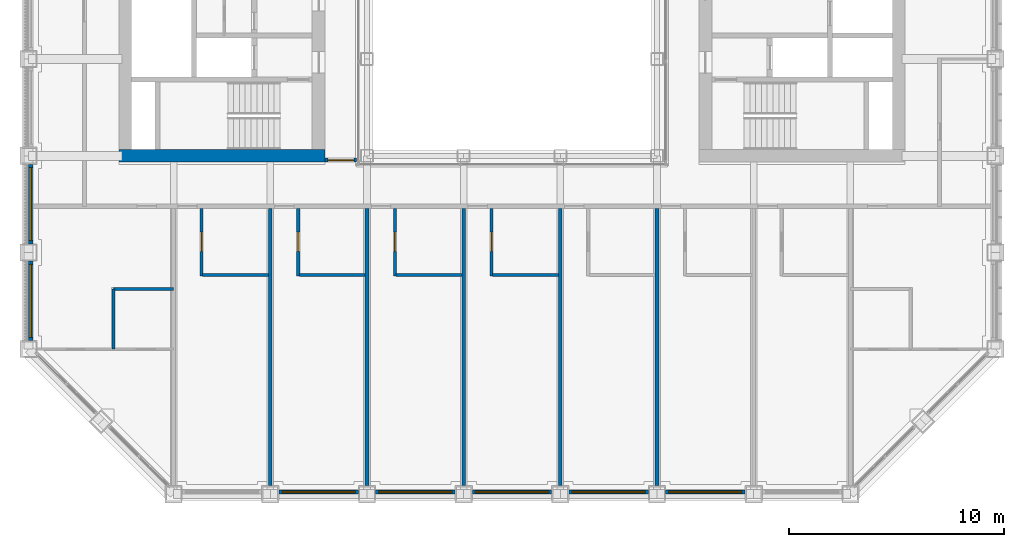
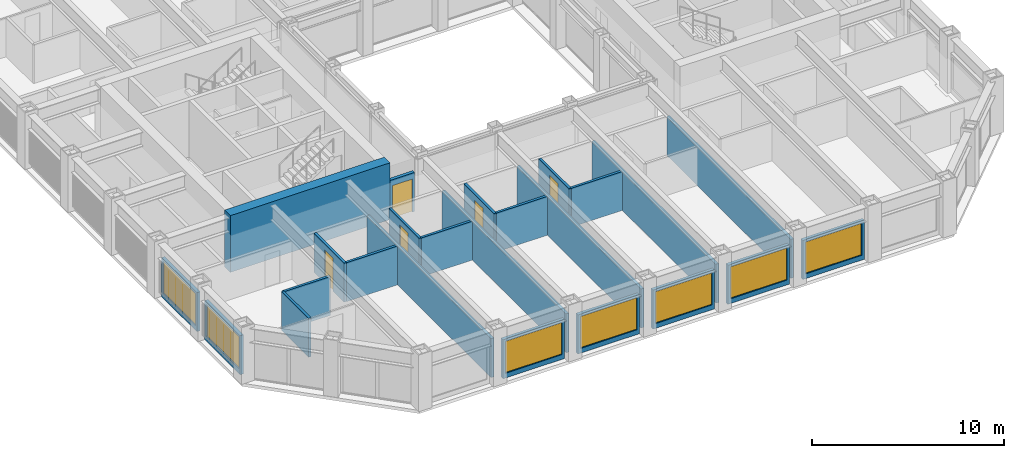
# One storey, part 10 of 18: 24 walls, 7 windows, 5 doors, 12 openings.
"""IFC4 building model written with IfcOpenShell, lengths in metres."""

import ifcopenshell
import ifcopenshell.guid

model = None  # the IFC model being written
_history = None  # IfcOwnerHistory: only IFC2X3 demands one
_inside = {}  # id of a spatial element -> (the spatial element, [elements in it])
_under = {}  # id of a project, library or spatial element -> (it, [spatial elements below it])
_declared = {}  # id of a project -> (the project, [libraries it declares])
_typed = {}  # id of a type object -> (the type object, [elements of that type])
_made_of = {}  # id of a material, layer set ... -> (it, [elements and type objects made of it])


def new_model(schema):
    """Start an empty IFC model of exactly this schema.

    Asked for "IFC4X3", IfcOpenShell would pick the latest addendum, in which some entities
    have other attributes; the version numbers below select the first issue.
    IFC2X3 requires an IfcOwnerHistory on every rooted entity: one is made here for all.
    """
    global model, _history
    if schema == "IFC4X3":
        model = ifcopenshell.file(schema_version=(4, 3, 0, 0))
    else:
        model = ifcopenshell.file(schema=schema)
    _inside.clear()
    _under.clear()
    _declared.clear()
    _typed.clear()
    _made_of.clear()
    _history = None
    if model.schema == "IFC2X3":
        org = make("IfcOrganization", Name="unknown")
        user = make(
            "IfcPersonAndOrganization",
            ThePerson=make("IfcPerson", FamilyName="unknown"),
            TheOrganization=org,
        )
        app = make(
            "IfcApplication",
            ApplicationDeveloper=org,
            Version="unknown",
            ApplicationFullName="unknown",
            ApplicationIdentifier="unknown",
        )
        _history = make(
            "IfcOwnerHistory",
            OwningUser=user,
            OwningApplication=app,
            ChangeAction="ADDED",
            CreationDate=0,
        )
    return model


def make(cls, **values):
    """One entity of the class cls with the attributes given. An attribute that is None is left unset."""
    return model.create_entity(
        cls, **{name: value for name, value in values.items() if value is not None}
    )


def rooted(cls, **values):
    """An entity with a GlobalId (a new one), such as an element, a storey or a relation."""
    return make(cls, GlobalId=ifcopenshell.guid.new(), OwnerHistory=_history, **values)


def si_unit(unit_type, name, prefix=None):
    """IfcSIUnit, for example si_unit("LENGTHUNIT", "METRE", prefix="MILLI")."""
    return make("IfcSIUnit", UnitType=unit_type, Prefix=prefix, Name=name)


def assignment(units):
    """IfcUnitAssignment: the units of a project."""
    return None if units is None else make("IfcUnitAssignment", Units=units)


def point(xyz):
    """IfcCartesianPoint."""
    return None if xyz is None else make("IfcCartesianPoint", Coordinates=xyz)


def direction(xyz):
    """IfcDirection."""
    return None if xyz is None else make("IfcDirection", DirectionRatios=xyz)


def frame(location, z_axis=None, x_axis=None):
    """IfcAxis2Placement3D, a coordinate frame: its origin and axes. An axis left out is left unset."""
    return make(
        "IfcAxis2Placement3D",
        Location=point(location),
        Axis=direction(z_axis),
        RefDirection=direction(x_axis),
    )


def frame_2d(location, x_axis=None):
    """IfcAxis2Placement2D, a coordinate frame in the plane: its origin and x axis."""
    return make(
        "IfcAxis2Placement2D", Location=point(location), RefDirection=direction(x_axis)
    )


def origin():
    """The frame at (0, 0, 0) with its axes left unset."""
    return frame((0.0, 0.0, 0.0))


def place(relative_to, where):
    """IfcLocalPlacement: puts the frame where relative to a parent placement (None: the world)."""
    return make(
        "IfcLocalPlacement", PlacementRelTo=relative_to, RelativePlacement=where
    )


def context(
    kind, dimensions, precision=None, world=None, true_north=None, identifier=None
):
    """IfcGeometricRepresentationContext, for example the 3D "Model" context."""
    return make(
        "IfcGeometricRepresentationContext",
        ContextIdentifier=identifier,
        ContextType=kind,
        CoordinateSpaceDimension=dimensions,
        Precision=precision,
        WorldCoordinateSystem=world,
        TrueNorth=true_north,
    )


def subcontext(parent, identifier, kind, view, scale=None):
    """IfcGeometricRepresentationSubContext, for example "Body" below "Model"."""
    return make(
        "IfcGeometricRepresentationSubContext",
        ContextIdentifier=identifier,
        ContextType=kind,
        ParentContext=parent,
        TargetScale=scale,
        TargetView=view,
    )


def project(units=None, contexts=None):
    """IfcProject with its units and contexts."""
    return rooted(
        "IfcProject",
        Name="project",
        RepresentationContexts=contexts,
        UnitsInContext=assignment(units),
    )


def spatial(cls, under=None, at=None, **own):
    """A site, building, storey or space (cls), placed at a placement, below another one or the project."""
    s = rooted(cls, ObjectPlacement=at, **own)
    if under is not None:
        _under.setdefault(under.id(), (under, []))[1].append(s)
    return s


def profile(cls, at=None, kind="AREA", **sizes):
    """A parametric profile (cls). Its sizes go by their IFC names, for example OverallWidth=200.0."""
    return make(cls, ProfileType=kind, Position=at, **sizes)


def rectangle(**sizes):
    """IfcRectangleProfileDef."""
    return profile("IfcRectangleProfileDef", **sizes)


def extrude(swept, where, along, depth):
    """IfcExtrudedAreaSolid: the profile swept, set in the frame where, extruded along a direction by depth."""
    return make(
        "IfcExtrudedAreaSolid",
        SweptArea=swept,
        Position=where,
        ExtrudedDirection=direction(along),
        Depth=depth,
    )


def shape(context_of_items, identifier, shape_type, items):
    """IfcShapeRepresentation: the items that make up one representation, for example the "Body"."""
    return make(
        "IfcShapeRepresentation",
        ContextOfItems=context_of_items,
        RepresentationIdentifier=identifier,
        RepresentationType=shape_type,
        Items=items,
    )


def material(Name=None, Category=None):
    """IfcMaterial."""
    return make("IfcMaterial", Name=Name, Category=Category)


def layer(
    of_material, thickness, ventilated=None, Name=None, Category=None, Priority=None
):
    """IfcMaterialLayer: one layer of a wall or slab, of a material (None: an air gap)."""
    return make(
        "IfcMaterialLayer",
        Material=of_material,
        LayerThickness=thickness,
        IsVentilated=ventilated,
        Name=Name,
        Category=Category,
        Priority=Priority,
    )


def layer_set(layers, Name=None):
    """IfcMaterialLayerSet."""
    return make("IfcMaterialLayerSet", MaterialLayers=layers, LayerSetName=Name)


def made_of(thing, what):
    """Note that an element or type object is made of a material, layer set ...; save() writes the relation."""
    if what is not None:
        _made_of.setdefault(what.id(), (what, []))[1].append(thing)
    return thing


def type_object(cls, material=None, **own):
    """A type object (cls), such as IfcWallType, which elements share."""
    return made_of(rooted(cls, **own), material)


def element(
    cls,
    number,
    at=None,
    inside=None,
    cuts=None,
    type_object=None,
    material=None,
    context=None,
    identifier="Body",
    shape_type=None,
    held_by="IfcProductDefinitionShape",
    body=None,
    shapes=None,
    **own,
):
    """One element of the class cls, such as IfcWall. Its Tag is "e" and its number.

    at: its placement. inside: the storey or other place that contains it. cuts: it is an
    opening in that element (IfcRelVoidsElement). A single representation is given by context,
    identifier, shape_type and body (its items); several are given by shapes. held_by: the class
    of the entity that holds the representations. save() writes the other relations.
    """
    e = rooted(cls, Tag="e%d" % number, ObjectPlacement=at, **own)
    if body is not None:
        shapes = [shape(context, identifier, shape_type, body)]
    if shapes is not None:
        e.Representation = make(held_by, Representations=shapes)
    if inside is not None:
        _inside.setdefault(inside.id(), (inside, []))[1].append(e)
    if cuts is not None:
        rooted(
            "IfcRelVoidsElement", RelatingBuildingElement=cuts, RelatedOpeningElement=e
        )
    if type_object is not None:
        _typed.setdefault(type_object.id(), (type_object, []))[1].append(e)
    return made_of(e, material)


def fill(opening, filler):
    """IfcRelFillsElement: the door or window that sits in an opening."""
    return rooted(
        "IfcRelFillsElement",
        RelatingOpeningElement=opening,
        RelatedBuildingElement=filler,
    )


def aggregate(whole, parts):
    """IfcRelAggregates: a whole, such as a stair, and the parts it consists of."""
    return rooted("IfcRelAggregates", RelatingObject=whole, RelatedObjects=parts)


def save(model, path):
    """Write the relations noted so far, then the file.

    IfcRelAggregates (storeys below a building ...), IfcRelContainedInSpatialStructure (elements
    in a storey), IfcRelDefinesByType, IfcRelAssociatesMaterial and IfcRelDeclares: one each for
    every whole, place, type object, material and project.
    """
    for whole, parts in _under.values():
        aggregate(whole, parts)
    for where, things in _inside.values():
        rooted(
            "IfcRelContainedInSpatialStructure",
            RelatedElements=things,
            RelatingStructure=where,
        )
    for kind, things in _typed.values():
        rooted("IfcRelDefinesByType", RelatedObjects=things, RelatingType=kind)
    for what, things in _made_of.values():
        rooted("IfcRelAssociatesMaterial", RelatedObjects=things, RelatingMaterial=what)
    for by, libraries in _declared.values():
        rooted("IfcRelDeclares", RelatingContext=by, RelatedDefinitions=libraries)
    model.write(path)


model = new_model("IFC4")

# Units and contexts
model_context = context("Model", 3, precision=1e-05, world=origin(), true_north=direction((0.0, 1.0)))
body_context = subcontext(model_context, "Body", "Model", "MODEL_VIEW")
ifc_project = project(units=[si_unit("LENGTHUNIT", "METRE"), si_unit("AREAUNIT", "SQUARE_METRE"), si_unit("VOLUMEUNIT", "CUBIC_METRE"), si_unit("PLANEANGLEUNIT", "RADIAN"), si_unit("MASSUNIT", "GRAM", prefix="KILO")], contexts=[model_context])

# Site, building, storey
site_placement = place(None, origin())
site = spatial("IfcSite", under=ifc_project, at=site_placement, CompositionType="ELEMENT")
building_placement = place(site_placement, origin())
building = spatial("IfcBuilding", under=site, at=building_placement, Name="Msasa Ring Tower", CompositionType="ELEMENT")
storey_placement = place(building_placement, frame((0.0, 0.0, 125.60009765625)))
storey = spatial("IfcBuildingStorey", under=building, at=storey_placement, Name="L32", CompositionType="ELEMENT", Elevation=125.60009765625)

# Wall
ifc_material_1 = material(Name="Concrete C60/75", Category="concrete")
ifc_layer_1 = layer(ifc_material_1, 0.60009765625)
ifc_layer_set_1 = layer_set([ifc_layer_1], Name="CW2 CORE WALL 600")
wall_type_1 = type_object("IfcWallType", Name="CW2 CORE WALL 600", PredefinedType="SHEAR", material=ifc_layer_set_1)
wall_1_placement = place(storey_placement, frame((-8.699951171875, -6.75, 0.0), z_axis=(0.0, 0.0, 1.0), x_axis=(-1.0, 0.0, 0.0)))
element("IfcWall", 1, at=wall_1_placement, inside=storey, type_object=wall_type_1, Name="W core wall S L32", PredefinedType="SHEAR", context=body_context, shape_type="SweptSolid", body=[
    extrude(rectangle(XDim=9.60009765625, YDim=0.60009765625, at=frame_2d((4.800048828125, 0.0))), origin(), (0.0, 0.0, 1.0), 3.599853515625),
])

# Wall, opening, window
ifc_material_2 = material(Name="Terracotta rainscreen on blockwork", Category="masonry")
ifc_layer_2 = layer(ifc_material_2, 0.199951171875)
ifc_layer_set_2 = layer_set([ifc_layer_2], Name="FW1 TERRACOTTA-LINED INFILL BAY WALL 200")
wall_type_2 = type_object("IfcWallType", Name="FW1 TERRACOTTA-LINED INFILL BAY WALL 200", PredefinedType="SOLIDWALL", material=ifc_layer_set_2)
wall_2_placement = place(storey_placement, frame((-10.844970703125, -22.39990234375, 0.0), z_axis=(0.0, 0.0, 1.0), x_axis=(1.0, 0.0, 0.0)))
wall_2 = element("IfcWall", 2, at=wall_2_placement, inside=storey, type_object=wall_type_2, Name="Infill bay wall S L32 01", PredefinedType="SOLIDWALL", context=body_context, shape_type="SweptSolid", body=[
    extrude(rectangle(XDim=3.68994140625, YDim=0.199951171875, at=frame_2d((1.844970703125, 0.0))), origin(), (0.0, 0.0, 1.0), 2.47900390625),
])
opening_1_placement = place(wall_2_placement, frame((0.14501953125, 0.0, 0.300048828125)))
opening_1 = element("IfcOpeningElement", 3, at=opening_1_placement, cuts=wall_2, Name="Opening WN2", PredefinedType="OPENING", context=body_context, shape_type="SweptSolid", body=[
    extrude(rectangle(XDim=3.39990234375, YDim=2.029052734375, at=frame_2d((1.699951171875, 1.0146484375))), frame((0.0, 0.10986328125, 0.0), z_axis=(0.0, -1.0, 0.0), x_axis=(1.0, 0.0, 0.0)), (0.0, 0.0, 1.0), 0.219970703125),
])
ifc_material_3 = material(Name="Aluminium frame with clear glass", Category="aluminium")
window_type = type_object("IfcWindowType", Name="WN2 GUEST ROOM WINDOW 3400x2029", PartitioningType="SINGLE_PANEL", PredefinedType="WINDOW", material=ifc_material_3)
window_1_placement = place(opening_1_placement, origin())
window_1 = element("IfcWindow", 4, at=window_1_placement, inside=storey, type_object=window_type, Name="Window S L32 01", OverallHeight=2.029052734375, OverallWidth=3.39990234375, PartitioningType="SINGLE_PANEL", PredefinedType="WINDOW", context=body_context, shape_type="SweptSolid", body=[
    extrude(rectangle(XDim=3.39990234375, YDim=2.029052734375, at=frame_2d((1.699951171875, 1.0146484375))), frame((0.0, 0.030029296875, 0.0), z_axis=(0.0, -1.0, 0.0), x_axis=(1.0, 0.0, 0.0)), (0.0, 0.0, 1.0), 0.06005859375),
])
fill(opening_1, window_1)

wall_3_placement = place(storey_placement, frame((-6.344970703125, -22.39990234375, 0.0), z_axis=(0.0, 0.0, 1.0), x_axis=(1.0, 0.0, 0.0)))
wall_3 = element("IfcWall", 5, at=wall_3_placement, inside=storey, type_object=wall_type_2, Name="Infill bay wall S L32 02", PredefinedType="SOLIDWALL", context=body_context, shape_type="SweptSolid", body=[
    extrude(rectangle(XDim=3.68994140625, YDim=0.199951171875, at=frame_2d((1.844970703125, 0.0))), origin(), (0.0, 0.0, 1.0), 2.47900390625),
])
opening_2_placement = place(wall_3_placement, frame((0.14501953125, 0.0, 0.300048828125)))
opening_2 = element("IfcOpeningElement", 6, at=opening_2_placement, cuts=wall_3, Name="Opening WN2", PredefinedType="OPENING", context=body_context, shape_type="SweptSolid", body=[
    extrude(rectangle(XDim=3.39990234375, YDim=2.029052734375, at=frame_2d((1.699951171875, 1.0146484375))), frame((0.0, 0.10986328125, 0.0), z_axis=(0.0, -1.0, 0.0), x_axis=(1.0, 0.0, 0.0)), (0.0, 0.0, 1.0), 0.219970703125),
])
window_2_placement = place(opening_2_placement, origin())
window_2 = element("IfcWindow", 7, at=window_2_placement, inside=storey, type_object=window_type, Name="Window S L32 02", OverallHeight=2.029052734375, OverallWidth=3.39990234375, PartitioningType="SINGLE_PANEL", PredefinedType="WINDOW", context=body_context, shape_type="SweptSolid", body=[
    extrude(rectangle(XDim=3.39990234375, YDim=2.029052734375, at=frame_2d((1.699951171875, 1.0146484375))), frame((0.0, 0.030029296875, 0.0), z_axis=(0.0, -1.0, 0.0), x_axis=(1.0, 0.0, 0.0)), (0.0, 0.0, 1.0), 0.06005859375),
])
fill(opening_2, window_2)

wall_4_placement = place(storey_placement, frame((-1.844970703125, -22.39990234375, 0.0), z_axis=(0.0, 0.0, 1.0), x_axis=(1.0, 0.0, 0.0)))
wall_4 = element("IfcWall", 8, at=wall_4_placement, inside=storey, type_object=wall_type_2, Name="Infill bay wall S L32 03", PredefinedType="SOLIDWALL", context=body_context, shape_type="SweptSolid", body=[
    extrude(rectangle(XDim=3.68994140625, YDim=0.199951171875, at=frame_2d((1.844970703125, 0.0))), origin(), (0.0, 0.0, 1.0), 2.47900390625),
])
opening_3_placement = place(wall_4_placement, frame((0.14501953125, 0.0, 0.300048828125)))
opening_3 = element("IfcOpeningElement", 9, at=opening_3_placement, cuts=wall_4, Name="Opening WN2", PredefinedType="OPENING", context=body_context, shape_type="SweptSolid", body=[
    extrude(rectangle(XDim=3.39990234375, YDim=2.029052734375, at=frame_2d((1.699951171875, 1.0146484375))), frame((0.0, 0.10986328125, 0.0), z_axis=(0.0, -1.0, 0.0), x_axis=(1.0, 0.0, 0.0)), (0.0, 0.0, 1.0), 0.219970703125),
])
window_3_placement = place(opening_3_placement, origin())
window_3 = element("IfcWindow", 10, at=window_3_placement, inside=storey, type_object=window_type, Name="Window S L32 03", OverallHeight=2.029052734375, OverallWidth=3.39990234375, PartitioningType="SINGLE_PANEL", PredefinedType="WINDOW", context=body_context, shape_type="SweptSolid", body=[
    extrude(rectangle(XDim=3.39990234375, YDim=2.029052734375, at=frame_2d((1.699951171875, 1.0146484375))), frame((0.0, 0.030029296875, 0.0), z_axis=(0.0, -1.0, 0.0), x_axis=(1.0, 0.0, 0.0)), (0.0, 0.0, 1.0), 0.06005859375),
])
fill(opening_3, window_3)

wall_5_placement = place(storey_placement, frame((2.655029296875, -22.39990234375, 0.0), z_axis=(0.0, 0.0, 1.0), x_axis=(1.0, 0.0, 0.0)))
wall_5 = element("IfcWall", 11, at=wall_5_placement, inside=storey, type_object=wall_type_2, Name="Infill bay wall S L32 04", PredefinedType="SOLIDWALL", context=body_context, shape_type="SweptSolid", body=[
    extrude(rectangle(XDim=3.68994140625, YDim=0.199951171875, at=frame_2d((1.844970703125, 0.0))), origin(), (0.0, 0.0, 1.0), 2.47900390625),
])
opening_4_placement = place(wall_5_placement, frame((0.14501953125, 0.0, 0.300048828125)))
opening_4 = element("IfcOpeningElement", 12, at=opening_4_placement, cuts=wall_5, Name="Opening WN2", PredefinedType="OPENING", context=body_context, shape_type="SweptSolid", body=[
    extrude(rectangle(XDim=3.39990234375, YDim=2.029052734375, at=frame_2d((1.699951171875, 1.0146484375))), frame((0.0, 0.10986328125, 0.0), z_axis=(0.0, -1.0, 0.0), x_axis=(1.0, 0.0, 0.0)), (0.0, 0.0, 1.0), 0.219970703125),
])
window_4_placement = place(opening_4_placement, origin())
window_4 = element("IfcWindow", 13, at=window_4_placement, inside=storey, type_object=window_type, Name="Window S L32 04", OverallHeight=2.029052734375, OverallWidth=3.39990234375, PartitioningType="SINGLE_PANEL", PredefinedType="WINDOW", context=body_context, shape_type="SweptSolid", body=[
    extrude(rectangle(XDim=3.39990234375, YDim=2.029052734375, at=frame_2d((1.699951171875, 1.0146484375))), frame((0.0, 0.030029296875, 0.0), z_axis=(0.0, -1.0, 0.0), x_axis=(1.0, 0.0, 0.0)), (0.0, 0.0, 1.0), 0.06005859375),
])
fill(opening_4, window_4)

wall_6_placement = place(storey_placement, frame((7.155029296875, -22.39990234375, 0.0), z_axis=(0.0, 0.0, 1.0), x_axis=(1.0, 0.0, 0.0)))
wall_6 = element("IfcWall", 14, at=wall_6_placement, inside=storey, type_object=wall_type_2, Name="Infill bay wall S L32 05", PredefinedType="SOLIDWALL", context=body_context, shape_type="SweptSolid", body=[
    extrude(rectangle(XDim=3.68994140625, YDim=0.199951171875, at=frame_2d((1.844970703125, 0.0))), origin(), (0.0, 0.0, 1.0), 2.47900390625),
])
opening_5_placement = place(wall_6_placement, frame((0.14501953125, 0.0, 0.300048828125)))
opening_5 = element("IfcOpeningElement", 15, at=opening_5_placement, cuts=wall_6, Name="Opening WN2", PredefinedType="OPENING", context=body_context, shape_type="SweptSolid", body=[
    extrude(rectangle(XDim=3.39990234375, YDim=2.029052734375, at=frame_2d((1.699951171875, 1.0146484375))), frame((0.0, 0.10986328125, 0.0), z_axis=(0.0, -1.0, 0.0), x_axis=(1.0, 0.0, 0.0)), (0.0, 0.0, 1.0), 0.219970703125),
])
window_5_placement = place(opening_5_placement, origin())
window_5 = element("IfcWindow", 16, at=window_5_placement, inside=storey, type_object=window_type, Name="Window S L32 05", OverallHeight=2.029052734375, OverallWidth=3.39990234375, PartitioningType="SINGLE_PANEL", PredefinedType="WINDOW", context=body_context, shape_type="SweptSolid", body=[
    extrude(rectangle(XDim=3.39990234375, YDim=2.029052734375, at=frame_2d((1.699951171875, 1.0146484375))), frame((0.0, 0.030029296875, 0.0), z_axis=(0.0, -1.0, 0.0), x_axis=(1.0, 0.0, 0.0)), (0.0, 0.0, 1.0), 0.06005859375),
])
fill(opening_5, window_5)

wall_7_placement = place(storey_placement, frame((-22.39990234375, -15.344970703125, 0.0), z_axis=(0.0, 0.0, 1.0), x_axis=(0.0, 1.0, 0.0)))
wall_7 = element("IfcWall", 17, at=wall_7_placement, inside=storey, type_object=wall_type_2, Name="Infill bay wall W L32 27", PredefinedType="SOLIDWALL", context=body_context, shape_type="SweptSolid", body=[
    extrude(rectangle(XDim=3.68994140625, YDim=0.199951171875, at=frame_2d((1.844970703125, 0.0))), origin(), (0.0, 0.0, 1.0), 2.47900390625),
])
opening_6_placement = place(wall_7_placement, frame((0.14501953125, 0.0, 0.300048828125)))
opening_6 = element("IfcOpeningElement", 18, at=opening_6_placement, cuts=wall_7, Name="Opening WN2", PredefinedType="OPENING", context=body_context, shape_type="SweptSolid", body=[
    extrude(rectangle(XDim=3.39990234375, YDim=2.029052734375, at=frame_2d((1.699951171875, 1.0146484375))), frame((0.0, 0.10986328125, 0.0), z_axis=(0.0, -1.0, 0.0), x_axis=(1.0, 0.0, 0.0)), (0.0, 0.0, 1.0), 0.219970703125),
])
window_6_placement = place(opening_6_placement, origin())
window_6 = element("IfcWindow", 19, at=window_6_placement, inside=storey, type_object=window_type, Name="Window W L32 27", OverallHeight=2.029052734375, OverallWidth=3.39990234375, PartitioningType="SINGLE_PANEL", PredefinedType="WINDOW", context=body_context, shape_type="SweptSolid", body=[
    extrude(rectangle(XDim=3.39990234375, YDim=2.029052734375, at=frame_2d((1.699951171875, 1.0146484375))), frame((0.0, 0.030029296875, 0.0), z_axis=(0.0, -1.0, 0.0), x_axis=(1.0, 0.0, 0.0)), (0.0, 0.0, 1.0), 0.06005859375),
])
fill(opening_6, window_6)

wall_8_placement = place(storey_placement, frame((-22.39990234375, -10.844970703125, 0.0), z_axis=(0.0, 0.0, 1.0), x_axis=(0.0, 1.0, 0.0)))
wall_8 = element("IfcWall", 20, at=wall_8_placement, inside=storey, type_object=wall_type_2, Name="Infill bay wall W L32 28", PredefinedType="SOLIDWALL", context=body_context, shape_type="SweptSolid", body=[
    extrude(rectangle(XDim=3.68994140625, YDim=0.199951171875, at=frame_2d((1.844970703125, 0.0))), origin(), (0.0, 0.0, 1.0), 2.47900390625),
])
opening_7_placement = place(wall_8_placement, frame((0.14501953125, 0.0, 0.300048828125)))
opening_7 = element("IfcOpeningElement", 21, at=opening_7_placement, cuts=wall_8, Name="Opening WN2", PredefinedType="OPENING", context=body_context, shape_type="SweptSolid", body=[
    extrude(rectangle(XDim=3.39990234375, YDim=2.029052734375, at=frame_2d((1.699951171875, 1.0146484375))), frame((0.0, 0.10986328125, 0.0), z_axis=(0.0, -1.0, 0.0), x_axis=(1.0, 0.0, 0.0)), (0.0, 0.0, 1.0), 0.219970703125),
])
window_7_placement = place(opening_7_placement, origin())
window_7 = element("IfcWindow", 22, at=window_7_placement, inside=storey, type_object=window_type, Name="Window W L32 28", OverallHeight=2.029052734375, OverallWidth=3.39990234375, PartitioningType="SINGLE_PANEL", PredefinedType="WINDOW", context=body_context, shape_type="SweptSolid", body=[
    extrude(rectangle(XDim=3.39990234375, YDim=2.029052734375, at=frame_2d((1.699951171875, 1.0146484375))), frame((0.0, 0.030029296875, 0.0), z_axis=(0.0, -1.0, 0.0), x_axis=(1.0, 0.0, 0.0)), (0.0, 0.0, 1.0), 0.06005859375),
])
fill(opening_7, window_7)

# Wall, opening, door
ifc_material_4 = material(Name="Concrete blockwork", Category="masonry")
ifc_layer_3 = layer(ifc_material_4, 0.199951171875)
ifc_layer_set_3 = layer_set([ifc_layer_3], Name="PT1 CORRIDOR WALL 200")
wall_type_3 = type_object("IfcWallType", Name="PT1 CORRIDOR WALL 200", PredefinedType="PARTITIONING", material=ifc_layer_set_3)
wall_9_placement = place(storey_placement, frame((-8.699951171875, -6.949951171875, 0.0), z_axis=(0.0, 0.0, 1.0), x_axis=(1.0, 0.0, 0.0)))
wall_9 = element("IfcWall", 23, at=wall_9_placement, inside=storey, type_object=wall_type_3, Name="Corridor wall L32-SDWS", PredefinedType="PARTITIONING", context=body_context, shape_type="SweptSolid", body=[
    extrude(rectangle(XDim=1.469970703125, YDim=0.199951171875, at=frame_2d((0.73486328125, 0.0))), origin(), (0.0, 0.0, 1.0), 2.473388671875),
])
opening_8_placement = place(wall_9_placement, frame((0.135009765625, 0.0, 0.0)))
opening_8 = element("IfcOpeningElement", 24, at=opening_8_placement, cuts=wall_9, Name="Opening HA-038", PredefinedType="OPENING", context=body_context, shape_type="SweptSolid", body=[
    extrude(rectangle(XDim=1.199951171875, YDim=2.10009765625, at=frame_2d((0.60009765625, 1.050048828125))), frame((0.0, 0.10986328125, 0.0), z_axis=(0.0, -1.0, 0.0), x_axis=(1.0, 0.0, 0.0)), (0.0, 0.0, 1.0), 0.219970703125),
])
ifc_material_5 = material(Name="Timber door leaf in a steel frame", Category="steel")
door_type_1 = type_object("IfcDoorType", Name="D25 CORRIDOR PAIR OF SMOKE DOORS 1200x2100", OperationType="DOUBLE_DOOR_DOUBLE_SWING", PredefinedType="DOOR", material=ifc_material_5)
door_1_placement = place(opening_8_placement, origin())
door_1 = element("IfcDoor", 25, at=door_1_placement, inside=storey, type_object=door_type_1, Name="Door L32-SDWS", OperationType="DOUBLE_DOOR_DOUBLE_SWING", OverallHeight=2.10009765625, OverallWidth=1.199951171875, PredefinedType="DOOR", context=body_context, shape_type="SweptSolid", body=[
    extrude(rectangle(XDim=1.199951171875, YDim=2.10009765625, at=frame_2d((0.60009765625, 1.050048828125))), frame((0.0, 0.02490234375, 0.0), z_axis=(0.0, -1.0, 0.0), x_axis=(1.0, 0.0, 0.0)), (0.0, 0.0, 1.0), 0.050048828125),
])
fill(opening_8, door_1)

ifc_material_6 = material(Name="Moisture-resistant board on steel studs with a concealed cistern and pipe void, tiled", Category="steel")
ifc_layer_4 = layer(ifc_material_6, 0.14990234375)
ifc_layer_set_4 = layer_set([ifc_layer_4], Name="PT4 BATHROOM WET WALL 150")
wall_type_4 = type_object("IfcWallType", Name="PT4 BATHROOM WET WALL 150", PredefinedType="PARTITIONING", material=ifc_layer_set_4)
wall_10_placement = place(storey_placement, frame((-14.449951171875, -12.35009765625, 0.0), z_axis=(0.0, 0.0, 1.0), x_axis=(0.0, 1.0, 0.0)))
wall_10 = element("IfcWall", 26, at=wall_10_placement, inside=storey, type_object=wall_type_4, Name="Partition L32-GS00BX", PredefinedType="PARTITIONING", context=body_context, shape_type="SweptSolid", body=[
    extrude(rectangle(XDim=3.150146484375, YDim=0.14990234375, at=frame_2d((1.5751953125, 0.0))), origin(), (0.0, 0.0, 1.0), 2.473388671875),
])
opening_9_placement = place(wall_10_placement, frame((1.14990234375, 0.0, 0.0)))
opening_9 = element("IfcOpeningElement", 27, at=opening_9_placement, cuts=wall_10, Name="Opening HA-048", PredefinedType="OPENING", context=body_context, shape_type="SweptSolid", body=[
    extrude(rectangle(XDim=0.89990234375, YDim=2.10009765625, at=frame_2d((0.449951171875, 1.050048828125))), frame((0.0, 0.0849609375, 0.0), z_axis=(0.0, -1.0, 0.0), x_axis=(1.0, 0.0, 0.0)), (0.0, 0.0, 1.0), 0.169921875),
])
ifc_material_7 = material(Name="Timber door leaf in a steel frame", Category="steel")
door_type_2 = type_object("IfcDoorType", Name="D3 BATHROOM DOOR 900x2100", OperationType="SINGLE_SWING_LEFT", PredefinedType="DOOR", material=ifc_material_7)
door_2_placement = place(opening_9_placement, origin())
door_2 = element("IfcDoor", 28, at=door_2_placement, inside=storey, type_object=door_type_2, Name="Door L32-GS00B", OperationType="SINGLE_SWING_LEFT", OverallHeight=2.10009765625, OverallWidth=0.89990234375, PredefinedType="DOOR", context=body_context, shape_type="SweptSolid", body=[
    extrude(rectangle(XDim=0.89990234375, YDim=2.10009765625, at=frame_2d((0.449951171875, 1.050048828125))), frame((0.0, 0.02490234375, 0.0), z_axis=(0.0, -1.0, 0.0), x_axis=(1.0, 0.0, 0.0)), (0.0, 0.0, 1.0), 0.050048828125),
])
fill(opening_9, door_2)

# Wall
wall_11_placement = place(storey_placement, frame((-14.39990234375, -12.300048828125, 0.0), z_axis=(0.0, 0.0, 1.0), x_axis=(1.0, 0.0, 0.0)))
element("IfcWall", 29, at=wall_11_placement, inside=storey, type_object=wall_type_4, Name="Partition L32-GS00BY", PredefinedType="PARTITIONING", context=body_context, shape_type="SweptSolid", body=[
    extrude(rectangle(XDim=3.0625, YDim=0.14990234375, at=frame_2d((1.53125, 0.0))), origin(), (0.0, 0.0, 1.0), 2.473388671875),
])

# Wall, opening, door
wall_12_placement = place(storey_placement, frame((-9.949951171875, -12.35009765625, 0.0), z_axis=(0.0, 0.0, 1.0), x_axis=(0.0, 1.0, 0.0)))
wall_12 = element("IfcWall", 30, at=wall_12_placement, inside=storey, type_object=wall_type_4, Name="Partition L32-GS01BX", PredefinedType="PARTITIONING", context=body_context, shape_type="SweptSolid", body=[
    extrude(rectangle(XDim=3.150146484375, YDim=0.14990234375, at=frame_2d((1.5751953125, 0.0))), origin(), (0.0, 0.0, 1.0), 2.473388671875),
])
opening_10_placement = place(wall_12_placement, frame((1.14990234375, 0.0, 0.0)))
opening_10 = element("IfcOpeningElement", 31, at=opening_10_placement, cuts=wall_12, Name="Opening HA-049", PredefinedType="OPENING", context=body_context, shape_type="SweptSolid", body=[
    extrude(rectangle(XDim=0.89990234375, YDim=2.10009765625, at=frame_2d((0.449951171875, 1.050048828125))), frame((0.0, 0.0849609375, 0.0), z_axis=(0.0, -1.0, 0.0), x_axis=(1.0, 0.0, 0.0)), (0.0, 0.0, 1.0), 0.169921875),
])
door_3_placement = place(opening_10_placement, origin())
door_3 = element("IfcDoor", 32, at=door_3_placement, inside=storey, type_object=door_type_2, Name="Door L32-GS01B", OperationType="SINGLE_SWING_LEFT", OverallHeight=2.10009765625, OverallWidth=0.89990234375, PredefinedType="DOOR", context=body_context, shape_type="SweptSolid", body=[
    extrude(rectangle(XDim=0.89990234375, YDim=2.10009765625, at=frame_2d((0.449951171875, 1.050048828125))), frame((0.0, 0.02490234375, 0.0), z_axis=(0.0, -1.0, 0.0), x_axis=(1.0, 0.0, 0.0)), (0.0, 0.0, 1.0), 0.050048828125),
])
fill(opening_10, door_3)

# Wall
wall_13_placement = place(storey_placement, frame((-9.89990234375, -12.300048828125, 0.0), z_axis=(0.0, 0.0, 1.0), x_axis=(1.0, 0.0, 0.0)))
element("IfcWall", 33, at=wall_13_placement, inside=storey, type_object=wall_type_4, Name="Partition L32-GS01BY", PredefinedType="PARTITIONING", context=body_context, shape_type="SweptSolid", body=[
    extrude(rectangle(XDim=3.0625, YDim=0.14990234375, at=frame_2d((1.53125, 0.0))), origin(), (0.0, 0.0, 1.0), 2.473388671875),
])

# Wall, opening, door
wall_14_placement = place(storey_placement, frame((-5.449951171875, -12.35009765625, 0.0), z_axis=(0.0, 0.0, 1.0), x_axis=(0.0, 1.0, 0.0)))
wall_14 = element("IfcWall", 34, at=wall_14_placement, inside=storey, type_object=wall_type_4, Name="Partition L32-GS02BX", PredefinedType="PARTITIONING", context=body_context, shape_type="SweptSolid", body=[
    extrude(rectangle(XDim=3.150146484375, YDim=0.14990234375, at=frame_2d((1.5751953125, 0.0))), origin(), (0.0, 0.0, 1.0), 2.473388671875),
])
opening_11_placement = place(wall_14_placement, frame((1.14990234375, 0.0, 0.0)))
opening_11 = element("IfcOpeningElement", 35, at=opening_11_placement, cuts=wall_14, Name="Opening HA-050", PredefinedType="OPENING", context=body_context, shape_type="SweptSolid", body=[
    extrude(rectangle(XDim=0.89990234375, YDim=2.10009765625, at=frame_2d((0.449951171875, 1.050048828125))), frame((0.0, 0.0849609375, 0.0), z_axis=(0.0, -1.0, 0.0), x_axis=(1.0, 0.0, 0.0)), (0.0, 0.0, 1.0), 0.169921875),
])
door_4_placement = place(opening_11_placement, origin())
door_4 = element("IfcDoor", 36, at=door_4_placement, inside=storey, type_object=door_type_2, Name="Door L32-GS02B", OperationType="SINGLE_SWING_LEFT", OverallHeight=2.10009765625, OverallWidth=0.89990234375, PredefinedType="DOOR", context=body_context, shape_type="SweptSolid", body=[
    extrude(rectangle(XDim=0.89990234375, YDim=2.10009765625, at=frame_2d((0.449951171875, 1.050048828125))), frame((0.0, 0.02490234375, 0.0), z_axis=(0.0, -1.0, 0.0), x_axis=(1.0, 0.0, 0.0)), (0.0, 0.0, 1.0), 0.050048828125),
])
fill(opening_11, door_4)

# Wall
wall_15_placement = place(storey_placement, frame((-5.39990234375, -12.300048828125, 0.0), z_axis=(0.0, 0.0, 1.0), x_axis=(1.0, 0.0, 0.0)))
element("IfcWall", 37, at=wall_15_placement, inside=storey, type_object=wall_type_4, Name="Partition L32-GS02BY", PredefinedType="PARTITIONING", context=body_context, shape_type="SweptSolid", body=[
    extrude(rectangle(XDim=3.0625, YDim=0.14990234375, at=frame_2d((1.53125, 0.0))), origin(), (0.0, 0.0, 1.0), 2.473388671875),
])

# Wall, opening, door
wall_16_placement = place(storey_placement, frame((-0.949951171875, -12.35009765625, 0.0), z_axis=(0.0, 0.0, 1.0), x_axis=(0.0, 1.0, 0.0)))
wall_16 = element("IfcWall", 38, at=wall_16_placement, inside=storey, type_object=wall_type_4, Name="Partition L32-GS03BX", PredefinedType="PARTITIONING", context=body_context, shape_type="SweptSolid", body=[
    extrude(rectangle(XDim=3.150146484375, YDim=0.14990234375, at=frame_2d((1.5751953125, 0.0))), origin(), (0.0, 0.0, 1.0), 2.473388671875),
])
opening_12_placement = place(wall_16_placement, frame((1.14990234375, 0.0, 0.0)))
opening_12 = element("IfcOpeningElement", 39, at=opening_12_placement, cuts=wall_16, Name="Opening HA-051", PredefinedType="OPENING", context=body_context, shape_type="SweptSolid", body=[
    extrude(rectangle(XDim=0.89990234375, YDim=2.10009765625, at=frame_2d((0.449951171875, 1.050048828125))), frame((0.0, 0.0849609375, 0.0), z_axis=(0.0, -1.0, 0.0), x_axis=(1.0, 0.0, 0.0)), (0.0, 0.0, 1.0), 0.169921875),
])
door_5_placement = place(opening_12_placement, origin())
door_5 = element("IfcDoor", 40, at=door_5_placement, inside=storey, type_object=door_type_2, Name="Door L32-GS03B", OperationType="SINGLE_SWING_LEFT", OverallHeight=2.10009765625, OverallWidth=0.89990234375, PredefinedType="DOOR", context=body_context, shape_type="SweptSolid", body=[
    extrude(rectangle(XDim=0.89990234375, YDim=2.10009765625, at=frame_2d((0.449951171875, 1.050048828125))), frame((0.0, 0.02490234375, 0.0), z_axis=(0.0, -1.0, 0.0), x_axis=(1.0, 0.0, 0.0)), (0.0, 0.0, 1.0), 0.050048828125),
])
fill(opening_12, door_5)

# Walls
wall_17_placement = place(storey_placement, frame((-0.89990234375, -12.300048828125, 0.0), z_axis=(0.0, 0.0, 1.0), x_axis=(1.0, 0.0, 0.0)))
element("IfcWall", 41, at=wall_17_placement, inside=storey, type_object=wall_type_4, Name="Partition L32-GS03BY", PredefinedType="PARTITIONING", context=body_context, shape_type="SweptSolid", body=[
    extrude(rectangle(XDim=3.0625, YDim=0.14990234375, at=frame_2d((1.53125, 0.0))), origin(), (0.0, 0.0, 1.0), 2.473388671875),
])
for number, where, z_axis, x_axis, name in (
    (42, (-18.550048828125, -15.75, 0.0), (0.0, 0.0, 1.0), (0.0, 1.0, 0.0), "Partition L32-CSSWBX"),
    (43, (-18.550048828125, -12.949951171875, 0.0), (0.0, 0.0, 1.0), (1.0, 0.0, 0.0), "Partition L32-CSSWBY"),
):
    element("IfcWall", number, at=place(storey_placement, frame(where, z_axis=z_axis, x_axis=x_axis)), inside=storey, type_object=wall_type_4, Name=name, PredefinedType="PARTITIONING", context=body_context, shape_type="SweptSolid", body=[
        extrude(rectangle(XDim=2.800048828125, YDim=0.14990234375, at=frame_2d((1.39990234375, 0.0))), origin(), (0.0, 0.0, 1.0), 2.473388671875),
    ])
ifc_material_8 = material(Name="Twin steel studs, two layers of acoustic board each face, mineral wool", Category="steel")
ifc_layer_5 = layer(ifc_material_8, 0.175048828125)
ifc_layer_set_5 = layer_set([ifc_layer_5], Name="PT5 GUEST ROOM SEPARATING WALL 175")
wall_type_5 = type_object("IfcWallType", Name="PT5 GUEST ROOM SEPARATING WALL 175", PredefinedType="PARTITIONING", material=ifc_layer_set_5)
for number, where, z_axis, x_axis, name in (
    (44, (-11.25, -22.10009765625, 0.0), (0.0, 0.0, 1.0), (0.0, 1.0, 0.0), "Partition L32-PWS-11.25"),
    (45, (-6.75, -22.10009765625, 0.0), (0.0, 0.0, 1.0), (0.0, 1.0, 0.0), "Partition L32-PWS-6.75"),
    (46, (-2.25, -22.10009765625, 0.0), (0.0, 0.0, 1.0), (0.0, 1.0, 0.0), "Partition L32-PWS-2.25"),
    (47, (2.25, -22.10009765625, 0.0), (0.0, 0.0, 1.0), (0.0, 1.0, 0.0), "Partition L32-PWS+2.25"),
    (48, (6.75, -22.10009765625, 0.0), (0.0, 0.0, 1.0), (0.0, 1.0, 0.0), "Partition L32-PWS+6.75"),
):
    element("IfcWall", number, at=place(storey_placement, frame(where, z_axis=z_axis, x_axis=x_axis)), inside=storey, type_object=wall_type_5, Name=name, PredefinedType="PARTITIONING", context=body_context, shape_type="SweptSolid", body=[
        extrude(rectangle(XDim=12.900146484375, YDim=0.175048828125, at=frame_2d((6.4501953125, 0.0))), origin(), (0.0, 0.0, 1.0), 2.473388671875),
    ])

save(model, "model.ifc")
